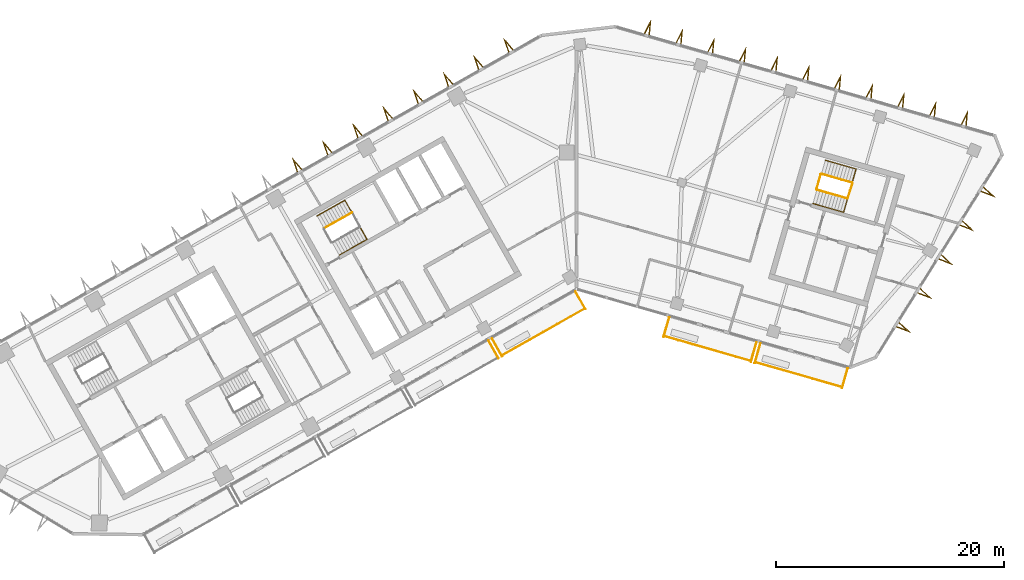
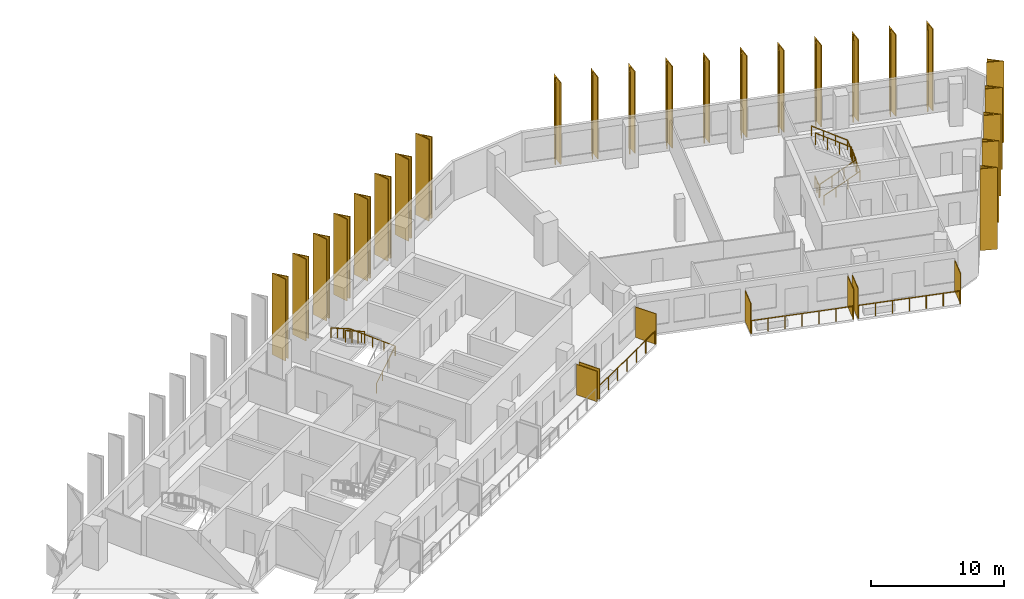
# One storey, part 10 of 11: 31 shading devices, 9 railings.
"""IFC4 building model written with IfcOpenShell, lengths in metres."""

from ifc_helpers import new_model, si_unit, direction, frame, origin, origin_2d, place, context, subcontext, project, spatial, polyline, rectangle, circle, outline, extrude, material, layer, layer_set, type_object, element, save


model = new_model("IFC4")

# Units and contexts
model_context = context("Model", 3, precision=1e-05, world=origin(), true_north=direction((0.0, 1.0)))
body_context = subcontext(model_context, "Body", "Model", "MODEL_VIEW")
ifc_project = project(units=[si_unit("LENGTHUNIT", "METRE"), si_unit("AREAUNIT", "SQUARE_METRE"), si_unit("VOLUMEUNIT", "CUBIC_METRE"), si_unit("PLANEANGLEUNIT", "RADIAN"), si_unit("MASSUNIT", "GRAM", prefix="KILO")], contexts=[model_context])

# Site, building, storey
site_placement = place(None, origin())
site = spatial("IfcSite", under=ifc_project, at=site_placement, CompositionType="ELEMENT")
building_placement = place(site_placement, origin())
building = spatial("IfcBuilding", under=site, at=building_placement, Name="Binnacle Exchange Tower", CompositionType="ELEMENT")
storey_placement = place(building_placement, frame((0.0, 0.0, 207.5)))
storey = spatial("IfcBuildingStorey", under=building, at=storey_placement, Name="L45", CompositionType="ELEMENT", Elevation=207.5)

# Railings
ifc_material_1 = material(Name="Bronze anodised aluminium frame", Category="aluminium")
railing_type_1 = type_object("IfcRailingType", Name="GUARD 1200", PredefinedType="GUARDRAIL", material=ifc_material_1)
railing_1_placement = place(storey_placement, frame((-6.5283203125, 42.186767578125, 0.0)))
element("IfcRailing", 1, at=railing_1_placement, inside=storey, type_object=railing_type_1, Name="Balcony guard G01-B04 L45", PredefinedType="GUARDRAIL", context=body_context, shape_type="SweptSolid", body=[
    extrude(circle(Radius=0.02392578125, at=origin_2d()), frame((0.0, 0.0, 1.17578125), z_axis=(0.870365821494, 0.492405662818, 0.0), x_axis=(-0.492405662818, 0.870365821494, 0.0)), (0.0, 0.0, 1.0), 8.334716796875),
    extrude(circle(Radius=0.02099609375, at=origin_2d()), origin(), (0.0, 0.0, 1.0), 1.15185546875),
    extrude(circle(Radius=0.02099609375, at=origin_2d()), frame((1.208984375, 0.68408203125, 0.0)), (0.0, 0.0, 1.0), 1.15185546875),
    extrude(circle(Radius=0.02099609375, at=origin_2d()), frame((2.41796875, 1.367919921875, 0.0)), (0.0, 0.0, 1.0), 1.15185546875),
    extrude(circle(Radius=0.02099609375, at=origin_2d()), frame((3.626953125, 2.052001953125, 0.0)), (0.0, 0.0, 1.0), 1.15185546875),
    extrude(circle(Radius=0.02099609375, at=origin_2d()), frame((4.836181640625, 2.736083984375, 0.0)), (0.0, 0.0, 1.0), 1.15185546875),
    extrude(circle(Radius=0.02099609375, at=origin_2d()), frame((6.045166015625, 3.419921875, 0.0)), (0.0, 0.0, 1.0), 1.15185546875),
    extrude(circle(Radius=0.02099609375, at=origin_2d()), frame((7.254150390625, 4.10400390625, 0.0)), (0.0, 0.0, 1.0), 1.15185546875),
])
railing_2_placement = place(storey_placement, frame((7.69140625, 43.875244140625, 0.0)))
element("IfcRailing", 2, at=railing_2_placement, inside=storey, type_object=railing_type_1, Name="Balcony guard G02-B01 L45", PredefinedType="GUARDRAIL", context=body_context, shape_type="SweptSolid", body=[
    extrude(circle(Radius=0.02392578125, at=origin_2d()), frame((0.0, 0.0, 1.17578125), z_axis=(0.961259965977, -0.275643388836, 0.0), x_axis=(0.275643388836, 0.961259965977, 0.0)), (0.0, 0.0, 1.0), 7.900634765625),
    extrude(circle(Radius=0.02099609375, at=origin_2d()), origin(), (0.0, 0.0, 1.0), 1.15185546875),
    extrude(circle(Radius=0.02099609375, at=origin_2d()), frame((1.265625, -0.363037109375, 0.0)), (0.0, 0.0, 1.0), 1.15185546875),
    extrude(circle(Radius=0.02099609375, at=origin_2d()), frame((2.531494140625, -0.725830078125, 0.0)), (0.0, 0.0, 1.0), 1.15185546875),
    extrude(circle(Radius=0.02099609375, at=origin_2d()), frame((3.79736328125, -1.0888671875, 0.0)), (0.0, 0.0, 1.0), 1.15185546875),
    extrude(circle(Radius=0.02099609375, at=origin_2d()), frame((5.06298828125, -1.451904296875, 0.0)), (0.0, 0.0, 1.0), 1.15185546875),
    extrude(circle(Radius=0.02099609375, at=origin_2d()), frame((6.32861328125, -1.814697265625, 0.0)), (0.0, 0.0, 1.0), 1.15185546875),
    extrude(circle(Radius=0.02099609375, at=origin_2d()), frame((7.594482421875, -2.177734375, 0.0)), (0.0, 0.0, 1.0), 1.15185546875),
])
railing_3_placement = place(storey_placement, frame((15.689453125, 41.581787109375, 0.0)))
element("IfcRailing", 3, at=railing_3_placement, inside=storey, type_object=railing_type_1, Name="Balcony guard G02-B02 L45", PredefinedType="GUARDRAIL", context=body_context, shape_type="SweptSolid", body=[
    extrude(circle(Radius=0.02392578125, at=origin_2d()), frame((0.0, 0.0, 1.17578125), z_axis=(0.961257617982, -0.275651576943, 0.0), x_axis=(0.275651576943, 0.961257617982, 0.0)), (0.0, 0.0, 1.0), 7.900390625),
    extrude(circle(Radius=0.02099609375, at=origin_2d()), origin(), (0.0, 0.0, 1.0), 1.15185546875),
    extrude(circle(Radius=0.02099609375, at=origin_2d()), frame((1.265625, -0.363037109375, 0.0)), (0.0, 0.0, 1.0), 1.15185546875),
    extrude(circle(Radius=0.02099609375, at=origin_2d()), frame((2.531494140625, -0.725830078125, 0.0)), (0.0, 0.0, 1.0), 1.15185546875),
    extrude(circle(Radius=0.02099609375, at=origin_2d()), frame((3.797119140625, -1.0888671875, 0.0)), (0.0, 0.0, 1.0), 1.15185546875),
    extrude(circle(Radius=0.02099609375, at=origin_2d()), frame((5.062744140625, -1.451904296875, 0.0)), (0.0, 0.0, 1.0), 1.15185546875),
    extrude(circle(Radius=0.02099609375, at=origin_2d()), frame((6.32861328125, -1.814697265625, 0.0)), (0.0, 0.0, 1.0), 1.15185546875),
    extrude(circle(Radius=0.02099609375, at=origin_2d()), frame((7.59423828125, -2.177734375, 0.0)), (0.0, 0.0, 1.0), 1.15185546875),
])

# Shading devices
ifc_material_2 = material(Name="Bronze aluminium louvre", Category="aluminium")
ifc_layer = layer(ifc_material_2, 0.06005859375)
ifc_layer_set = layer_set([ifc_layer], Name="PLANTED SCREEN 60x2800")
shading_device_type_1 = type_object("IfcShadingDeviceType", Name="PLANTED SCREEN 60x2800", PredefinedType="USERDEFINED", material=ifc_layer_set)
for number, where, z_axis, x_axis, name in (
    (4, (-7.271484375, 42.70849609375, 0.0), (0.0, 0.0, 1.0), (0.87035569594, 0.492423560103, 0.0), "Planted screen G01-B03b L45"),
    (5, (-6.9580078125, 42.885498046875, 0.0), (0.0, 0.0, 1.0), (0.87035569594, 0.492423560103, 0.0), "Planted screen G01-B04a L45"),
    (6, (0.34814453125, 47.019287109375, 0.0), (0.0, 0.0, 1.0), (0.87035569594, 0.492423560103, 0.0), "Planted screen G01-B04b L45"),
    (7, (7.888671875, 44.671630859375, 0.0), (0.0, 0.0, 1.0), (0.961261695938, -0.275637355817, 0.0), "Planted screen G02-B01a L45"),
    (8, (15.54052734375, 42.4775390625, 0.0), (0.0, 0.0, 1.0), (0.961261695938, -0.275637355817, 0.0), "Planted screen G02-B01b L45"),
    (9, (15.88671875, 42.37841796875, 0.0), (0.0, 0.0, 1.0), (0.961261695938, -0.275637355817, 0.0), "Planted screen G02-B02a L45"),
    (10, (23.538818359375, 40.18408203125, 0.0), (0.0, 0.0, 1.0), (0.961261695938, -0.275637355817, 0.0), "Planted screen G02-B02b L45"),
):
    element("IfcShadingDevice", number, at=place(storey_placement, frame(where, z_axis=z_axis, x_axis=x_axis)), inside=storey, type_object=shading_device_type_1, Name=name, ObjectType="SCREEN", PredefinedType="USERDEFINED", context=body_context, shape_type="SweptSolid", body=[
        extrude(rectangle(XDim=0.06005859375, YDim=1.800048828125, at=origin_2d()), origin(), (0.0, 0.0, 1.0), 2.800048828125),
    ])

# Railings
ifc_material_3 = material(Name="Steel guard rail", Category="steel")
railing_type_2 = type_object("IfcRailingType", Name="STAIR GUARD 1100", PredefinedType="GUARDRAIL", material=ifc_material_3)
railing_4_placement = place(storey_placement, frame((-19.70068359375, 54.71337890625, 2.127197265625)))
element("IfcRailing", 11, at=railing_4_placement, inside=storey, type_object=railing_type_2, Name="L45 STC1 stair guard 2", PredefinedType="GUARDRAIL", context=body_context, shape_type="SweptSolid", body=[
    extrude(circle(Radius=0.02392578125, at=origin_2d()), frame((0.0, 0.0, 1.076171875), z_axis=(-0.735381288273, -0.416018647052, 0.534923215202), x_axis=(0.492387636113, -0.870376019777, 0.0)), (0.0, 0.0, 1.0), 3.31396484375),
    extrude(circle(Radius=0.02099609375, at=origin_2d()), origin(), (0.0, 0.0, 1.0), 1.052001953125),
    extrude(circle(Radius=0.02099609375, at=origin_2d()), frame((-0.812255859375, -0.45947265625, 0.5908203125)), (0.0, 0.0, 1.0), 1.052001953125),
    extrude(circle(Radius=0.02099609375, at=origin_2d()), frame((-1.624755859375, -0.919189453125, 1.181884765625)), (0.0, 0.0, 1.0), 1.052001953125),
    extrude(circle(Radius=0.02099609375, at=origin_2d()), frame((-2.43701171875, -1.378662109375, 1.772705078125)), (0.0, 0.0, 1.0), 1.052001953125),
])
railing_5_placement = place(storey_placement, frame((21.086669921875, 56.71044921875, 0.17724609375)))
element("IfcRailing", 12, at=railing_5_placement, inside=storey, type_object=railing_type_2, Name="L45 STD1 stair guard 1", PredefinedType="GUARDRAIL", context=body_context, shape_type="SweptSolid", body=[
    extrude(circle(Radius=0.02392578125, at=origin_2d()), frame((0.0, 0.0, 1.076171875), z_axis=(0.81215085225, -0.232948203448, 0.534926282491), x_axis=(0.275711388614, 0.96124046429, 0.0)), (0.0, 0.0, 1.0), 3.31396484375),
    extrude(circle(Radius=0.02392578125, at=origin_2d()), frame((2.69140625, -0.77197265625, 2.8486328125), z_axis=(0.309842533299, 0.950787886208, 0.0), x_axis=(-0.950787886208, 0.309842533299, 0.0)), (0.0, 0.0, 1.0), 1.40087890625),
    extrude(circle(Radius=0.02099609375, at=origin_2d()), origin(), (0.0, 0.0, 1.0), 1.052001953125),
    extrude(circle(Radius=0.02099609375, at=origin_2d()), frame((0.897216796875, -0.25732421875, 0.5908203125)), (0.0, 0.0, 1.0), 1.052001953125),
    extrude(circle(Radius=0.02099609375, at=origin_2d()), frame((1.794189453125, -0.5146484375, 1.181884765625)), (0.0, 0.0, 1.0), 1.052001953125),
    extrude(circle(Radius=0.02099609375, at=origin_2d()), frame((2.69140625, -0.77197265625, 1.772705078125)), (0.0, 0.0, 1.0), 1.052001953125),
    extrude(circle(Radius=0.02099609375, at=origin_2d()), frame((2.908447265625, -0.10595703125, 1.772705078125)), (0.0, 0.0, 1.0), 1.052001953125),
    extrude(circle(Radius=0.02099609375, at=origin_2d()), frame((3.12548828125, 0.56005859375, 1.772705078125)), (0.0, 0.0, 1.0), 1.052001953125),
])
railing_6_placement = place(storey_placement, frame((24.177734375, 57.332275390625, 2.127197265625)))
element("IfcRailing", 13, at=railing_6_placement, inside=storey, type_object=railing_type_2, Name="L45 STD1 stair guard 2", PredefinedType="GUARDRAIL", context=body_context, shape_type="SweptSolid", body=[
    extrude(circle(Radius=0.02392578125, at=origin_2d()), frame((0.0, 0.0, 1.076171875), z_axis=(-0.81215085225, 0.232948203448, 0.534926282491), x_axis=(-0.275711388614, -0.96124046429, 0.0)), (0.0, 0.0, 1.0), 3.31396484375),
    extrude(circle(Radius=0.02099609375, at=origin_2d()), origin(), (0.0, 0.0, 1.0), 1.052001953125),
    extrude(circle(Radius=0.02099609375, at=origin_2d()), frame((-0.897216796875, 0.25732421875, 0.5908203125)), (0.0, 0.0, 1.0), 1.052001953125),
    extrude(circle(Radius=0.02099609375, at=origin_2d()), frame((-1.794189453125, 0.5146484375, 1.181884765625)), (0.0, 0.0, 1.0), 1.052001953125),
    extrude(circle(Radius=0.02099609375, at=origin_2d()), frame((-2.69140625, 0.77197265625, 1.772705078125)), (0.0, 0.0, 1.0), 1.052001953125),
])
railing_7_placement = place(storey_placement, frame((21.05224609375, 56.772216796875, 0.0)))
element("IfcRailing", 14, at=railing_7_placement, inside=storey, type_object=railing_type_2, Name="L45 STD1 stair guard 3", PredefinedType="GUARDRAIL", context=body_context, shape_type="SweptSolid", body=[
    extrude(circle(Radius=0.02392578125, at=origin_2d()), frame((0.0, 0.0, 1.076171875), z_axis=(0.275795817769, 0.961216243569, 0.0), x_axis=(-0.961216243569, 0.275795817769, 0.0)), (0.0, 0.0, 1.0), 1.349853515625),
    extrude(circle(Radius=0.02099609375, at=origin_2d()), origin(), (0.0, 0.0, 1.0), 1.052001953125),
    extrude(circle(Radius=0.02099609375, at=origin_2d()), frame((0.18603515625, 0.64892578125, 0.0)), (0.0, 0.0, 1.0), 1.052001953125),
    extrude(circle(Radius=0.02099609375, at=origin_2d()), frame((0.372314453125, 1.297607421875, 0.0)), (0.0, 0.0, 1.0), 1.052001953125),
])
ifc_material_4 = material(Name="Steel handrail", Category="steel")
railing_type_3 = type_object("IfcRailingType", Name="STAIR HANDRAIL 900", PredefinedType="HANDRAIL", material=ifc_material_4)
railing_8_placement = place(storey_placement, frame((-20.808349609375, 50.984619140625, 0.17724609375)))
element("IfcRailing", 15, at=railing_8_placement, inside=storey, type_object=railing_type_3, Name="L45 STC1 stair handrail 1", PredefinedType="HANDRAIL", context=body_context, shape_type="SweptSolid", body=[
    extrude(circle(Radius=0.02392578125, at=origin_2d()), frame((0.0, 0.0, 0.8759765625), z_axis=(0.735358749054, 0.416079564682, 0.534906819964), x_axis=(-0.492453686477, 0.870338650569, 0.0)), (0.0, 0.0, 1.0), 3.31396484375),
    extrude(circle(Radius=0.02392578125, at=origin_2d()), frame((2.43701171875, 1.37890625, 2.6484375), z_axis=(-0.491945051309, 0.869471352766, 0.044828932754), x_axis=(-0.87034633103, -0.492440112159, 0.0)), (0.0, 0.0, 1.0), 3.953857421875),
    extrude(circle(Radius=0.02392578125, at=origin_2d()), frame((0.491943359375, 4.816650390625, 2.82568359375), z_axis=(-0.735381288273, -0.416018647052, 0.534923215202), x_axis=(0.492387636113, -0.870376019777, 0.0)), (0.0, 0.0, 1.0), 3.31396484375),
    extrude(circle(Radius=0.02099609375, at=origin_2d()), origin(), (0.0, 0.0, 1.0), 0.851806640625),
    extrude(circle(Radius=0.02099609375, at=origin_2d()), frame((0.812255859375, 0.459716796875, 0.5908203125)), (0.0, 0.0, 1.0), 0.851806640625),
    extrude(circle(Radius=0.02099609375, at=origin_2d()), frame((1.624755859375, 0.919189453125, 1.181884765625)), (0.0, 0.0, 1.0), 0.851806640625),
    extrude(circle(Radius=0.02099609375, at=origin_2d()), frame((2.43701171875, 1.37890625, 1.772705078125)), (0.0, 0.0, 1.0), 0.851806640625),
    extrude(circle(Radius=0.02099609375, at=origin_2d()), frame((1.95068359375, 2.23828125, 1.81689453125)), (0.0, 0.0, 1.0), 0.851806640625),
    extrude(circle(Radius=0.02099609375, at=origin_2d()), frame((1.46435546875, 3.09765625, 1.861328125)), (0.0, 0.0, 1.0), 0.851806640625),
    extrude(circle(Radius=0.02099609375, at=origin_2d()), frame((0.978271484375, 3.957275390625, 1.90576171875)), (0.0, 0.0, 1.0), 0.851806640625),
    extrude(circle(Radius=0.02099609375, at=origin_2d()), frame((0.491943359375, 4.816650390625, 1.949951171875)), (0.0, 0.0, 1.0), 0.851806640625),
    extrude(circle(Radius=0.02099609375, at=origin_2d()), frame((-0.3203125, 4.357177734375, 2.540771484375)), (0.0, 0.0, 1.0), 0.851806640625),
    extrude(circle(Radius=0.02099609375, at=origin_2d()), frame((-1.1328125, 3.8974609375, 3.1318359375)), (0.0, 0.0, 1.0), 0.851806640625),
    extrude(circle(Radius=0.02099609375, at=origin_2d()), frame((-1.945068359375, 3.43798828125, 3.72265625)), (0.0, 0.0, 1.0), 0.851806640625),
])
railing_9_placement = place(storey_placement, frame((20.7421875, 55.5087890625, 0.17724609375)))
element("IfcRailing", 16, at=railing_9_placement, inside=storey, type_object=railing_type_3, Name="L45 STD1 stair handrail 1", PredefinedType="HANDRAIL", context=body_context, shape_type="SweptSolid", body=[
    extrude(circle(Radius=0.02392578125, at=origin_2d()), frame((0.0, 0.0, 0.8759765625), z_axis=(0.812164788183, -0.232878528252, 0.534935461448), x_axis=(0.275630818758, 0.961263570386, 0.0)), (0.0, 0.0, 1.0), 3.31396484375),
    extrude(circle(Radius=0.02392578125, at=origin_2d()), frame((2.69140625, -0.771728515625, 2.6484375), z_axis=(0.275390828663, 0.960286584611, 0.044828193186), x_axis=(-0.961252921364, 0.275667954558, 0.0)), (0.0, 0.0, 1.0), 3.953857421875),
    extrude(circle(Radius=0.02392578125, at=origin_2d()), frame((3.7802734375, 3.025146484375, 2.82568359375), z_axis=(-0.812189863168, 0.232864594782, 0.534903455461), x_axis=(-0.27560771734, -0.96127019414, 0.0)), (0.0, 0.0, 1.0), 3.31396484375),
    extrude(circle(Radius=0.02099609375, at=origin_2d()), origin(), (0.0, 0.0, 1.0), 0.851806640625),
    extrude(circle(Radius=0.02099609375, at=origin_2d()), frame((0.897216796875, -0.25732421875, 0.5908203125)), (0.0, 0.0, 1.0), 0.851806640625),
    extrude(circle(Radius=0.02099609375, at=origin_2d()), frame((1.794189453125, -0.514404296875, 1.181884765625)), (0.0, 0.0, 1.0), 0.851806640625),
    extrude(circle(Radius=0.02099609375, at=origin_2d()), frame((2.69140625, -0.771728515625, 1.772705078125)), (0.0, 0.0, 1.0), 0.851806640625),
    extrude(circle(Radius=0.02099609375, at=origin_2d()), frame((2.963623046875, 0.177490234375, 1.81689453125)), (0.0, 0.0, 1.0), 0.851806640625),
    extrude(circle(Radius=0.02099609375, at=origin_2d()), frame((3.23583984375, 1.126708984375, 1.861328125)), (0.0, 0.0, 1.0), 0.851806640625),
    extrude(circle(Radius=0.02099609375, at=origin_2d()), frame((3.508056640625, 2.075927734375, 1.90576171875)), (0.0, 0.0, 1.0), 0.851806640625),
    extrude(circle(Radius=0.02099609375, at=origin_2d()), frame((3.7802734375, 3.025146484375, 1.949951171875)), (0.0, 0.0, 1.0), 0.851806640625),
    extrude(circle(Radius=0.02099609375, at=origin_2d()), frame((2.883056640625, 3.282470703125, 2.540771484375)), (0.0, 0.0, 1.0), 0.851806640625),
    extrude(circle(Radius=0.02099609375, at=origin_2d()), frame((1.98583984375, 3.53955078125, 3.1318359375)), (0.0, 0.0, 1.0), 0.851806640625),
    extrude(circle(Radius=0.02099609375, at=origin_2d()), frame((1.088623046875, 3.796875, 3.72265625)), (0.0, 0.0, 1.0), 0.851806640625),
])

# Shading devices
ifc_material_5 = material(Name="Bronze aluminium cladding", Category="aluminium")
shading_device_type_2 = type_object("IfcShadingDeviceType", Name="V FIN 1300 DEEP x 7520 HIGH", PredefinedType="USERDEFINED", material=ifc_material_5)
shading_device_1_placement = place(storey_placement, origin())
element("IfcShadingDevice", 17, at=shading_device_1_placement, inside=storey, type_object=shading_device_type_2, Name="V fin FN-G04-01 L45", ObjectType="FIN", PredefinedType="USERDEFINED", context=body_context, shape_type="SweptSolid", body=[
    extrude(outline(polyline([(28.05908203125, 44.668212890625), (29.294189453125, 44.19140625), (28.32421875, 45.09228515625), (28.281005859375, 45.023193359375), (28.934814453125, 44.416015625), (28.102294921875, 44.7373046875), (28.05908203125, 44.668212890625)])), origin(), (0.0, 0.0, 1.0), 7.52001953125),
])
shading_device_2_placement = place(storey_placement, origin())
element("IfcShadingDevice", 18, at=shading_device_2_placement, inside=storey, type_object=shading_device_type_2, Name="V fin FN-G04-02 L45", ObjectType="FIN", PredefinedType="USERDEFINED", context=body_context, shape_type="SweptSolid", body=[
    extrude(outline(polyline([(29.913818359375, 47.636474609375), (31.14892578125, 47.15966796875), (30.178955078125, 48.060546875), (30.1357421875, 47.991455078125), (30.78955078125, 47.384033203125), (29.95703125, 47.70556640625), (29.913818359375, 47.636474609375)])), origin(), (0.0, 0.0, 1.0), 7.52001953125),
])
shading_device_3_placement = place(storey_placement, origin())
element("IfcShadingDevice", 19, at=shading_device_3_placement, inside=storey, type_object=shading_device_type_2, Name="V fin FN-G04-03 L45", ObjectType="FIN", PredefinedType="USERDEFINED", context=body_context, shape_type="SweptSolid", body=[
    extrude(outline(polyline([(31.768798828125, 50.604736328125), (33.003662109375, 50.127685546875), (32.03369140625, 51.02880859375), (31.990478515625, 50.959716796875), (32.644287109375, 50.352294921875), (31.81201171875, 50.673828125), (31.768798828125, 50.604736328125)])), origin(), (0.0, 0.0, 1.0), 7.52001953125),
])
shading_device_4_placement = place(storey_placement, origin())
element("IfcShadingDevice", 20, at=shading_device_4_placement, inside=storey, type_object=shading_device_type_2, Name="V fin FN-G04-04 L45", ObjectType="FIN", PredefinedType="USERDEFINED", context=body_context, shape_type="SweptSolid", body=[
    extrude(outline(polyline([(33.623291015625, 53.57275390625), (34.8583984375, 53.095947265625), (33.888427734375, 53.996826171875), (33.84521484375, 53.927734375), (34.4990234375, 53.3203125), (33.66650390625, 53.641845703125), (33.623291015625, 53.57275390625)])), origin(), (0.0, 0.0, 1.0), 7.52001953125),
])
shading_device_5_placement = place(storey_placement, origin())
element("IfcShadingDevice", 21, at=shading_device_5_placement, inside=storey, type_object=shading_device_type_2, Name="V fin FN-G04-05 L45", ObjectType="FIN", PredefinedType="USERDEFINED", context=body_context, shape_type="SweptSolid", body=[
    extrude(outline(polyline([(35.47802734375, 56.541015625), (36.713134765625, 56.064208984375), (35.7431640625, 56.965087890625), (35.699951171875, 56.89599609375), (36.353759765625, 56.28857421875), (35.521240234375, 56.610107421875), (35.47802734375, 56.541015625)])), origin(), (0.0, 0.0, 1.0), 7.52001953125),
])
shading_device_6_placement = place(storey_placement, origin())
element("IfcShadingDevice", 22, at=shading_device_6_placement, inside=storey, type_object=shading_device_type_2, Name="V fin FN-G06-01 L45", ObjectType="FIN", PredefinedType="USERDEFINED", context=body_context, shape_type="SweptSolid", body=[
    extrude(outline(polyline([(34.2080078125, 62.321044921875), (34.325927734375, 63.639404296875), (33.727294921875, 62.458740234375), (33.8056640625, 62.436279296875), (34.209228515625, 63.232421875), (34.129638671875, 62.343505859375), (34.2080078125, 62.321044921875)])), origin(), (0.0, 0.0, 1.0), 7.52001953125),
])
shading_device_7_placement = place(storey_placement, origin())
element("IfcShadingDevice", 23, at=shading_device_7_placement, inside=storey, type_object=shading_device_type_2, Name="V fin FN-G06-02 L45", ObjectType="FIN", PredefinedType="USERDEFINED", context=body_context, shape_type="SweptSolid", body=[
    extrude(outline(polyline([(31.428955078125, 63.117919921875), (31.547119140625, 64.436279296875), (30.948486328125, 63.255615234375), (31.026611328125, 63.2333984375), (31.430419921875, 64.029296875), (31.3505859375, 63.140380859375), (31.428955078125, 63.117919921875)])), origin(), (0.0, 0.0, 1.0), 7.52001953125),
])
shading_device_8_placement = place(storey_placement, origin())
element("IfcShadingDevice", 24, at=shading_device_8_placement, inside=storey, type_object=shading_device_type_2, Name="V fin FN-G06-03 L45", ObjectType="FIN", PredefinedType="USERDEFINED", context=body_context, shape_type="SweptSolid", body=[
    extrude(outline(polyline([(28.64990234375, 63.914794921875), (28.76806640625, 65.2333984375), (28.16943359375, 64.052490234375), (28.247802734375, 64.0302734375), (28.6513671875, 64.826171875), (28.57177734375, 63.937255859375), (28.64990234375, 63.914794921875)])), origin(), (0.0, 0.0, 1.0), 7.52001953125),
])
shading_device_9_placement = place(storey_placement, origin())
element("IfcShadingDevice", 25, at=shading_device_9_placement, inside=storey, type_object=shading_device_type_2, Name="V fin FN-G06-04 L45", ObjectType="FIN", PredefinedType="USERDEFINED", context=body_context, shape_type="SweptSolid", body=[
    extrude(outline(polyline([(25.87109375, 64.711669921875), (25.989013671875, 66.030029296875), (25.390380859375, 64.849365234375), (25.46875, 64.826904296875), (25.872314453125, 65.622802734375), (25.792724609375, 64.73388671875), (25.87109375, 64.711669921875)])), origin(), (0.0, 0.0, 1.0), 7.52001953125),
])
shading_device_10_placement = place(storey_placement, origin())
element("IfcShadingDevice", 26, at=shading_device_10_placement, inside=storey, type_object=shading_device_type_2, Name="V fin FN-G06-05 L45", ObjectType="FIN", PredefinedType="USERDEFINED", context=body_context, shape_type="SweptSolid", body=[
    extrude(outline(polyline([(23.092041015625, 65.508544921875), (23.210205078125, 66.826904296875), (22.611572265625, 65.646240234375), (22.689697265625, 65.623779296875), (23.093505859375, 66.419921875), (23.013916015625, 65.531005859375), (23.092041015625, 65.508544921875)])), origin(), (0.0, 0.0, 1.0), 7.52001953125),
])
shading_device_11_placement = place(storey_placement, origin())
element("IfcShadingDevice", 27, at=shading_device_11_placement, inside=storey, type_object=shading_device_type_2, Name="V fin FN-G06-06 L45", ObjectType="FIN", PredefinedType="USERDEFINED", context=body_context, shape_type="SweptSolid", body=[
    extrude(outline(polyline([(20.31298828125, 66.305419921875), (20.43115234375, 67.623779296875), (19.83251953125, 66.443115234375), (19.910888671875, 66.420654296875), (20.314453125, 67.216552734375), (20.23486328125, 66.32763671875), (20.31298828125, 66.305419921875)])), origin(), (0.0, 0.0, 1.0), 7.52001953125),
])
shading_device_12_placement = place(storey_placement, origin())
element("IfcShadingDevice", 28, at=shading_device_12_placement, inside=storey, type_object=shading_device_type_2, Name="V fin FN-G06-07 L45", ObjectType="FIN", PredefinedType="USERDEFINED", context=body_context, shape_type="SweptSolid", body=[
    extrude(outline(polyline([(17.5341796875, 67.102294921875), (17.652099609375, 68.420654296875), (17.053466796875, 67.239990234375), (17.1318359375, 67.217529296875), (17.535400390625, 68.013427734375), (17.455810546875, 67.12451171875), (17.5341796875, 67.102294921875)])), origin(), (0.0, 0.0, 1.0), 7.52001953125),
])
shading_device_13_placement = place(storey_placement, origin())
element("IfcShadingDevice", 29, at=shading_device_13_placement, inside=storey, type_object=shading_device_type_2, Name="V fin FN-G06-08 L45", ObjectType="FIN", PredefinedType="USERDEFINED", context=body_context, shape_type="SweptSolid", body=[
    extrude(outline(polyline([(14.755126953125, 67.899169921875), (14.873046875, 69.217529296875), (14.2744140625, 68.036865234375), (14.352783203125, 68.014404296875), (14.75634765625, 68.810302734375), (14.6767578125, 67.92138671875), (14.755126953125, 67.899169921875)])), origin(), (0.0, 0.0, 1.0), 7.52001953125),
])
shading_device_14_placement = place(storey_placement, origin())
element("IfcShadingDevice", 30, at=shading_device_14_placement, inside=storey, type_object=shading_device_type_2, Name="V fin FN-G06-09 L45", ObjectType="FIN", PredefinedType="USERDEFINED", context=body_context, shape_type="SweptSolid", body=[
    extrude(outline(polyline([(11.97607421875, 68.69580078125), (12.093994140625, 70.014404296875), (11.49560546875, 68.833740234375), (11.57373046875, 68.811279296875), (11.977294921875, 69.607177734375), (11.897705078125, 68.71826171875), (11.97607421875, 68.69580078125)])), origin(), (0.0, 0.0, 1.0), 7.52001953125),
])
shading_device_15_placement = place(storey_placement, origin())
element("IfcShadingDevice", 31, at=shading_device_15_placement, inside=storey, type_object=shading_device_type_2, Name="V fin FN-G06-10 L45", ObjectType="FIN", PredefinedType="USERDEFINED", context=body_context, shape_type="SweptSolid", body=[
    extrude(outline(polyline([(9.197265625, 69.492919921875), (9.315185546875, 70.811279296875), (8.716552734375, 69.630615234375), (8.794921875, 69.608154296875), (9.198486328125, 70.404052734375), (9.118896484375, 69.51513671875), (9.197265625, 69.492919921875)])), origin(), (0.0, 0.0, 1.0), 7.52001953125),
])
shading_device_16_placement = place(storey_placement, origin())
element("IfcShadingDevice", 32, at=shading_device_16_placement, inside=storey, type_object=shading_device_type_2, Name="V fin FN-G06-11 L45", ObjectType="FIN", PredefinedType="USERDEFINED", context=body_context, shape_type="SweptSolid", body=[
    extrude(outline(polyline([(6.418212890625, 70.28955078125), (6.5361328125, 71.608154296875), (5.9375, 70.427490234375), (6.015869140625, 70.405029296875), (6.41943359375, 71.200927734375), (6.33984375, 70.31201171875), (6.418212890625, 70.28955078125)])), origin(), (0.0, 0.0, 1.0), 7.52001953125),
])
shading_device_17_placement = place(storey_placement, origin())
element("IfcShadingDevice", 33, at=shading_device_17_placement, inside=storey, type_object=shading_device_type_2, Name="V fin FN-G08-01 L45", ObjectType="FIN", PredefinedType="USERDEFINED", context=body_context, shape_type="SweptSolid", body=[
    extrude(outline(polyline([(-5.538818359375, 69.009765625), (-6.396728515625, 70.018310546875), (-5.97412109375, 68.763671875), (-5.9033203125, 68.8037109375), (-6.18798828125, 69.6494140625), (-5.60986328125, 68.9697265625), (-5.538818359375, 69.009765625)])), origin(), (0.0, 0.0, 1.0), 7.52001953125),
])
shading_device_18_placement = place(storey_placement, origin())
element("IfcShadingDevice", 34, at=shading_device_18_placement, inside=storey, type_object=shading_device_type_2, Name="V fin FN-G08-02 L45", ObjectType="FIN", PredefinedType="USERDEFINED", context=body_context, shape_type="SweptSolid", body=[
    extrude(outline(polyline([(-8.187744140625, 67.51123046875), (-9.04541015625, 68.51953125), (-8.622802734375, 67.264892578125), (-8.552001953125, 67.30517578125), (-8.8369140625, 68.15087890625), (-8.258544921875, 67.47119140625), (-8.187744140625, 67.51123046875)])), origin(), (0.0, 0.0, 1.0), 7.52001953125),
])
shading_device_19_placement = place(storey_placement, origin())
element("IfcShadingDevice", 35, at=shading_device_19_placement, inside=storey, type_object=shading_device_type_2, Name="V fin FN-G08-03 L45", ObjectType="FIN", PredefinedType="USERDEFINED", context=body_context, shape_type="SweptSolid", body=[
    extrude(outline(polyline([(-10.83642578125, 66.0126953125), (-11.694091796875, 67.02099609375), (-11.271484375, 65.766357421875), (-11.20068359375, 65.806396484375), (-11.485595703125, 66.65234375), (-10.9072265625, 65.972412109375), (-10.83642578125, 66.0126953125)])), origin(), (0.0, 0.0, 1.0), 7.52001953125),
])
shading_device_20_placement = place(storey_placement, origin())
element("IfcShadingDevice", 36, at=shading_device_20_placement, inside=storey, type_object=shading_device_type_2, Name="V fin FN-G08-04 L45", ObjectType="FIN", PredefinedType="USERDEFINED", context=body_context, shape_type="SweptSolid", body=[
    extrude(outline(polyline([(-13.485107421875, 64.51416015625), (-14.343017578125, 65.5224609375), (-13.92041015625, 64.267822265625), (-13.849365234375, 64.30810546875), (-14.13427734375, 65.15380859375), (-13.555908203125, 64.47412109375), (-13.485107421875, 64.51416015625)])), origin(), (0.0, 0.0, 1.0), 7.52001953125),
])
shading_device_21_placement = place(storey_placement, origin())
element("IfcShadingDevice", 37, at=shading_device_21_placement, inside=storey, type_object=shading_device_type_2, Name="V fin FN-G08-05 L45", ObjectType="FIN", PredefinedType="USERDEFINED", context=body_context, shape_type="SweptSolid", body=[
    extrude(outline(polyline([(-16.1337890625, 63.015380859375), (-16.99169921875, 64.02392578125), (-16.569091796875, 62.769287109375), (-16.498046875, 62.809326171875), (-16.782958984375, 63.6552734375), (-16.20458984375, 62.975341796875), (-16.1337890625, 63.015380859375)])), origin(), (0.0, 0.0, 1.0), 7.52001953125),
])
shading_device_22_placement = place(storey_placement, origin())
element("IfcShadingDevice", 38, at=shading_device_22_placement, inside=storey, type_object=shading_device_type_2, Name="V fin FN-G08-06 L45", ObjectType="FIN", PredefinedType="USERDEFINED", context=body_context, shape_type="SweptSolid", body=[
    extrude(outline(polyline([(-18.78271484375, 61.516845703125), (-19.640380859375, 62.525390625), (-19.2177734375, 61.270751953125), (-19.14697265625, 61.310791015625), (-19.431640625, 62.156494140625), (-18.853515625, 61.476806640625), (-18.78271484375, 61.516845703125)])), origin(), (0.0, 0.0, 1.0), 7.52001953125),
])
shading_device_23_placement = place(storey_placement, origin())
element("IfcShadingDevice", 39, at=shading_device_23_placement, inside=storey, type_object=shading_device_type_2, Name="V fin FN-G08-07 L45", ObjectType="FIN", PredefinedType="USERDEFINED", context=body_context, shape_type="SweptSolid", body=[
    extrude(outline(polyline([(-21.431396484375, 60.018310546875), (-22.2890625, 61.026611328125), (-21.866455078125, 59.772216796875), (-21.795654296875, 59.812255859375), (-22.080322265625, 60.657958984375), (-21.502197265625, 59.978271484375), (-21.431396484375, 60.018310546875)])), origin(), (0.0, 0.0, 1.0), 7.52001953125),
])
shading_device_24_placement = place(storey_placement, origin())
element("IfcShadingDevice", 40, at=shading_device_24_placement, inside=storey, type_object=shading_device_type_2, Name="V fin FN-G08-08 L45", ObjectType="FIN", PredefinedType="USERDEFINED", context=body_context, shape_type="SweptSolid", body=[
    extrude(outline(polyline([(-24.080078125, 58.519775390625), (-24.93798828125, 59.528076171875), (-24.515380859375, 58.2734375), (-24.4443359375, 58.313720703125), (-24.729248046875, 59.159423828125), (-24.15087890625, 58.4794921875), (-24.080078125, 58.519775390625)])), origin(), (0.0, 0.0, 1.0), 7.52001953125),
])

save(model, "model.ifc")
